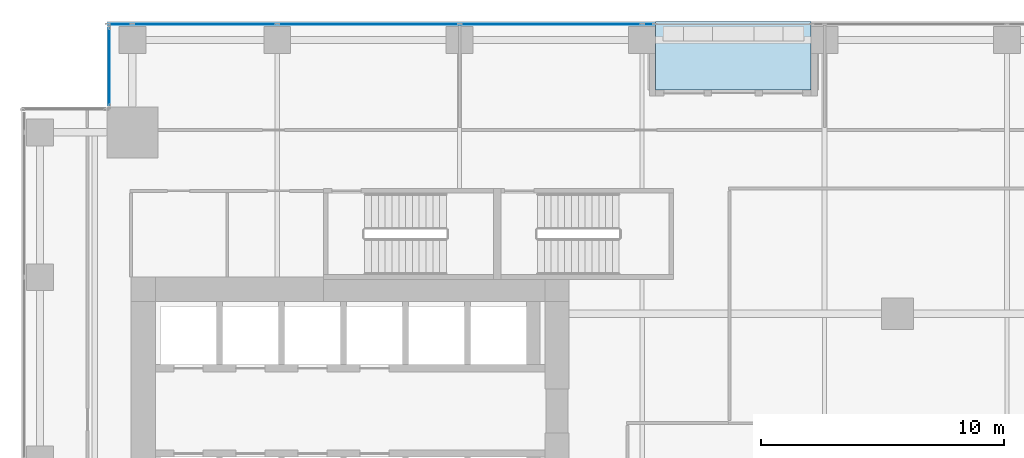
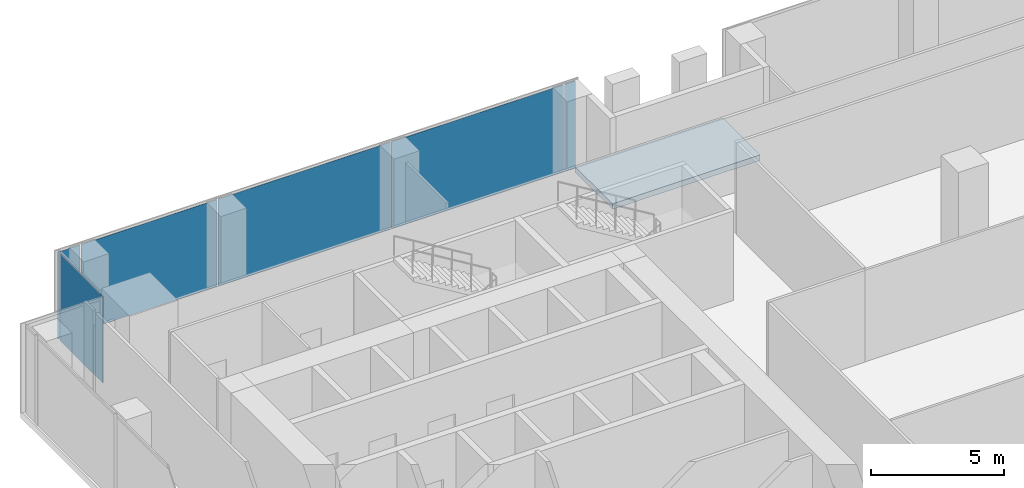
# One storey, part 26 of 34: 6 plates, 1 slab, 2 elements without a shape of their own.
"""IFC4 building model written with IfcOpenShell, lengths in metres."""

from ifc_helpers import new_model, si_unit, direction, frame, origin, origin_2d, place, context, subcontext, project, spatial, polyline, rectangle, outline, extrude, source, transform, mapped, material, layer, layer_set, type_object, element, aggregate, save


model = new_model("IFC4")

# Units and contexts
model_context = context("Model", 3, precision=1e-05, world=origin(), true_north=direction((0.0, 1.0)))
body_context = subcontext(model_context, "Body", "Model", "MODEL_VIEW")
ifc_project = project(units=[si_unit("LENGTHUNIT", "METRE"), si_unit("AREAUNIT", "SQUARE_METRE"), si_unit("VOLUMEUNIT", "CUBIC_METRE"), si_unit("PLANEANGLEUNIT", "RADIAN"), si_unit("MASSUNIT", "GRAM", prefix="KILO")], contexts=[model_context])

# Site, building, storey
site_placement = place(None, origin())
site = spatial("IfcSite", under=ifc_project, at=site_placement, CompositionType="ELEMENT")
building_placement = place(site_placement, origin())
building = spatial("IfcBuilding", under=site, at=building_placement, Name="Khomas Fold Tower", CompositionType="ELEMENT")
storey_placement = place(building_placement, frame((0.0, 0.0, 123.5)))
storey = spatial("IfcBuildingStorey", under=building, at=storey_placement, Name="L26", CompositionType="ELEMENT", Elevation=123.5)

# Curtain wall, plates
ifc_material_1 = material(Name="Aluminium framed double glazing", Category="aluminium")
curtain_wall_type = type_object("IfcCurtainWallType", Name="SK-Unitised clear-glass wall, growing floors CW1", PredefinedType="NOTDEFINED", material=ifc_material_1)
curtain_wall_1_placement = place(storey_placement, origin())
curtain_wall_1 = element("IfcCurtainWall", 1, at=curtain_wall_1_placement, inside=storey, type_object=curtain_wall_type, Name="CW1 run L26 06-1", PredefinedType="NOTDEFINED")
ifc_material_2 = material(Name="Clear double glazed unit")
ifc_layer_1 = layer(ifc_material_2, 0.031982421875)
ifc_layer_set_1 = layer_set([ifc_layer_1], Name="Clear double glazed unit")
plate_type = type_object("IfcPlateType", Name="SK-Unitised clear-glass wall, growing floors glass panel CW1-P", PredefinedType="CURTAIN_PANEL", material=ifc_layer_set_1)
shared_shape_1 = source(origin(), body_context, "Body", "SweptSolid", [
    extrude(rectangle(XDim=5.889892578125, YDim=0.031982421875, at=origin_2d()), origin(), (0.0, 0.0, 1.0), 3.97998046875),
])
plate_1_placement = place(storey_placement, frame((9.02490234375, 52.39990234375, 0.0), z_axis=(0.0, 0.0, 1.0), x_axis=(-1.0, 0.0, 0.0)))
plate_1 = element("IfcPlate", 2, at=plate_1_placement, type_object=plate_type, Name="CW1 glass panel 4", PredefinedType="CURTAIN_PANEL", context=body_context, shape_type="MappedRepresentation", body=[
    mapped(shared_shape_1, transform((0.0, 0.0, 0.0))),
])
shared_shape_2 = source(origin(), body_context, "Body", "SweptSolid", [
    extrude(rectangle(XDim=7.43994140625, YDim=0.031982421875, at=origin_2d()), origin(), (0.0, 0.0, 1.0), 3.97998046875),
])
plate_2_placement = place(storey_placement, frame((23.25, 52.39990234375, 0.0), z_axis=(0.0, 0.0, 1.0), x_axis=(-1.0, 0.0, 0.0)))
plate_2 = element("IfcPlate", 3, at=plate_2_placement, type_object=plate_type, Name="CW1 glass panel 2", PredefinedType="CURTAIN_PANEL", context=body_context, shape_type="MappedRepresentation", body=[
    mapped(shared_shape_2, transform((0.0, 0.0, 0.0))),
])
plate_3_placement = place(storey_placement, frame((15.75, 52.39990234375, 0.0), z_axis=(0.0, 0.0, 1.0), x_axis=(-1.0, 0.0, 0.0)))
plate_3 = element("IfcPlate", 4, at=plate_3_placement, type_object=plate_type, Name="CW1 glass panel 3", PredefinedType="CURTAIN_PANEL", context=body_context, shape_type="MappedRepresentation", body=[
    mapped(shared_shape_2, transform((0.0, 0.0, 0.0))),
])
shared_shape_3 = source(origin(), body_context, "Body", "SweptSolid", [
    extrude(rectangle(XDim=0.9599609375, YDim=0.031982421875, at=origin_2d()), origin(), (0.0, 0.0, 1.0), 3.97998046875),
])
plate_4_placement = place(storey_placement, frame((5.5400390625, 52.39990234375, 0.0), z_axis=(0.0, 0.0, 1.0), x_axis=(-1.0, 0.0, 0.0)))
plate_4 = element("IfcPlate", 5, at=plate_4_placement, type_object=plate_type, Name="CW1 glass panel 5", PredefinedType="CURTAIN_PANEL", context=body_context, shape_type="MappedRepresentation", body=[
    mapped(shared_shape_3, transform((0.0, 0.0, 0.0))),
])

# Curtain wall, plate
curtain_wall_2_placement = place(storey_placement, origin())
curtain_wall_2 = element("IfcCurtainWall", 6, at=curtain_wall_2_placement, inside=storey, type_object=curtain_wall_type, Name="CW1 corner return L26 07", PredefinedType="NOTDEFINED")
shared_shape_4 = source(origin(), body_context, "Body", "SweptSolid", [
    extrude(rectangle(XDim=3.179931640625, YDim=0.031982421875, at=origin_2d()), origin(), (0.0, 0.0, 1.0), 3.97998046875),
])
plate_5_placement = place(storey_placement, frame((5.10009765625, 50.64990234375, 0.0), z_axis=(0.0, 0.0, 1.0), x_axis=(0.0, -1.0, 0.0)))
plate_5 = element("IfcPlate", 7, at=plate_5_placement, type_object=plate_type, Name="CW1 glass panel 1", PredefinedType="CURTAIN_PANEL", context=body_context, shape_type="MappedRepresentation", body=[
    mapped(shared_shape_4, transform((0.0, 0.0, 0.0))),
])
aggregate(curtain_wall_2, [plate_5])

# Plate
shared_shape_5 = source(origin(), body_context, "Body", "SweptSolid", [
    extrude(rectangle(XDim=0.4599609375, YDim=0.031982421875, at=origin_2d()), origin(), (0.0, 0.0, 1.0), 3.97998046875),
])
plate_6_placement = place(storey_placement, frame((27.260009765625, 52.39990234375, 0.0), z_axis=(0.0, 0.0, 1.0), x_axis=(-1.0, 0.0, 0.0)))
plate_6 = element("IfcPlate", 8, at=plate_6_placement, type_object=plate_type, Name="CW1 glass panel 1", PredefinedType="CURTAIN_PANEL", context=body_context, shape_type="MappedRepresentation", body=[
    mapped(shared_shape_5, transform((0.0, 0.0, 0.0))),
])

aggregate(curtain_wall_1, [plate_6, plate_2, plate_3, plate_1, plate_4])

# Slab
ifc_material_3 = material(Name="Concrete C40/50", Category="concrete")
ifc_layer_2 = layer(ifc_material_3, 0.2548828125)
ifc_layer_set_2 = layer_set([ifc_layer_2], Name="Concrete C40/50")
slab_type = type_object("IfcSlabType", Name="BL-Balcony deck 255", PredefinedType="FLOOR", material=ifc_layer_set_2)
shared_shape_6 = source(origin(), body_context, "Body", "SweptSolid", [
    extrude(outline(polyline([(27.550048828125, 49.699951171875), (33.949951171875, 49.699951171875), (33.949951171875, 52.5), (27.550048828125, 52.5), (27.550048828125, 49.699951171875)])), origin(), (0.0, 0.0, 1.0), 0.255126953125),
])
slab_placement = place(storey_placement, frame((0.0, 0.0, -0.300048828125)))
element("IfcSlab", 9, at=slab_placement, inside=storey, type_object=slab_type, Name="Balcony deck BAL-L26-N3", PredefinedType="FLOOR", context=body_context, shape_type="MappedRepresentation", body=[
    mapped(shared_shape_6, transform((0.0, 0.0, 0.0))),
])

save(model, "model.ifc")
